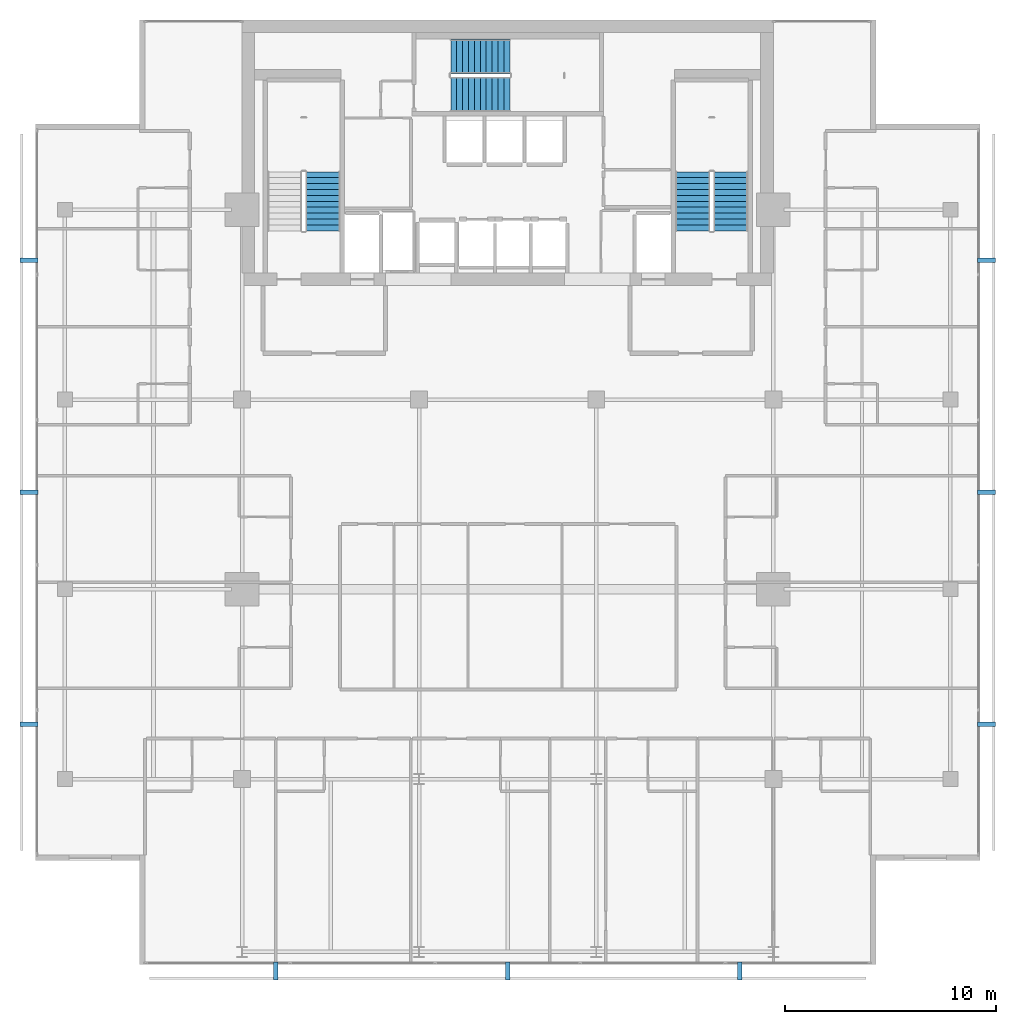
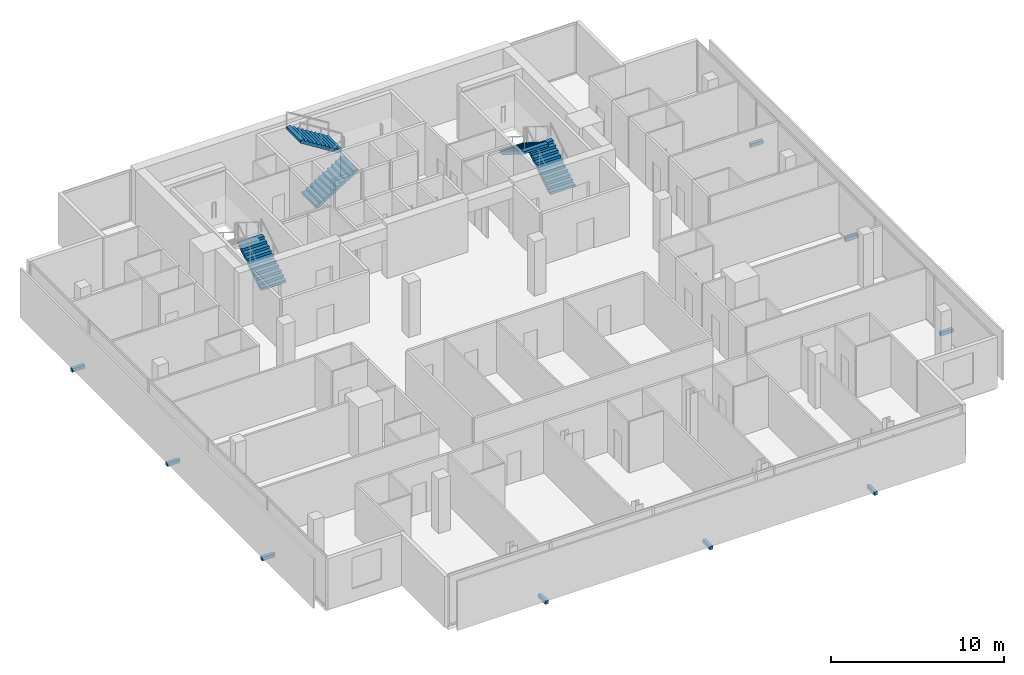
# One storey, part 24 of 26: 9 discrete accessories, 5 stair flights, 3 elements without a shape of their own.
"""IFC4 building model written with IfcOpenShell, lengths in metres."""

from ifc_helpers import new_model, si_unit, direction, frame, origin, origin_2d, place, context, subcontext, project, spatial, polyline, rectangle, outline, extrude, material, type_object, element, aggregate, save


model = new_model("IFC4")

# Units and contexts
model_context = context("Model", 3, precision=1e-05, world=origin(), true_north=direction((0.0, 1.0)))
body_context = subcontext(model_context, "Body", "Model", "MODEL_VIEW")
ifc_project = project(units=[si_unit("LENGTHUNIT", "METRE"), si_unit("AREAUNIT", "SQUARE_METRE"), si_unit("VOLUMEUNIT", "CUBIC_METRE"), si_unit("PLANEANGLEUNIT", "RADIAN"), si_unit("MASSUNIT", "GRAM", prefix="KILO")], contexts=[model_context])

# Site, building, storey
site_placement = place(None, origin())
site = spatial("IfcSite", under=ifc_project, at=site_placement, CompositionType="ELEMENT")
building_placement = place(site_placement, origin())
building = spatial("IfcBuilding", under=site, at=building_placement, Name="Maruvema Waterfront Hotel and Observation Tower", CompositionType="ELEMENT")
storey_placement = place(building_placement, frame((0.0, 0.0, 285.60009765625)))
storey = spatial("IfcBuildingStorey", under=building, at=storey_placement, Name="L70", CompositionType="ELEMENT", Elevation=285.60009765625)

# Stair, stair flight
ifc_material_1 = material(Name="Concrete C50/60", Category="concrete")
stair_type = type_object("IfcStairType", Name="Dogleg Exit Stair 1650 mm (22R x 175.0 mm)", PredefinedType="HALF_TURN_STAIR", material=ifc_material_1)
stair_1_placement = place(storey_placement, origin())
stair_1 = element("IfcStair", 1, at=stair_1_placement, inside=storey, type_object=stair_type, Name="L70 ST-01", PredefinedType="HALF_TURN_STAIR")
ifc_material_2 = material(Name="Concrete C50/60", Category="concrete")
stair_flight_type = type_object("IfcStairFlightType", Name="Reinforced Concrete Stair Flight 1650 mm (11R x 175.0 mm)", PredefinedType="STRAIGHT", material=ifc_material_2)
stair_flight_1_placement = place(storey_placement, frame((29.02490234375, 44.0, 0.0), z_axis=(0.0, 0.0, 1.0), x_axis=(0.0, 1.0, 0.0)))
stair_flight_1 = element("IfcStairFlight", 2, at=stair_flight_1_placement, type_object=stair_flight_type, Name="ST-01 flight 1", NumberOfRisers=11, NumberOfTreads=10, PredefinedType="STRAIGHT", RiserHeight=0.175, TreadLength=0.28, context=body_context, shape_type="SweptSolid", body=[
    extrude(outline(polyline([(0.0, 0.0), (0.0, 0.175048828125), (0.280029296875, 0.175048828125), (0.280029296875, 0.35009765625), (0.56005859375, 0.35009765625), (0.56005859375, 0.52490234375), (0.840087890625, 0.52490234375), (0.840087890625, 0.699951171875), (1.1201171875, 0.699951171875), (1.1201171875, 0.875), (1.39990234375, 0.875), (1.39990234375, 1.050048828125), (1.679931640625, 1.050048828125), (1.679931640625, 1.22509765625), (1.9599609375, 1.22509765625), (1.9599609375, 1.39990234375), (2.239990234375, 1.39990234375), (2.239990234375, 1.574951171875), (2.52001953125, 1.574951171875), (2.52001953125, 1.75), (2.800048828125, 1.75), (2.800048828125, 1.925048828125), (2.800048828125, 1.5732421875), (0.28271484375, 0.0), (0.0, 0.0)])), frame((0.0, 0.824951171875, 0.0), z_axis=(0.0, -1.0, 0.0), x_axis=(1.0, 0.0, 0.0)), (0.0, 0.0, 1.0), 1.64990234375),
])
aggregate(stair_1, [stair_flight_1])

# Stair, stair flights
stair_2_placement = place(storey_placement, origin())
stair_2 = element("IfcStair", 3, at=stair_2_placement, inside=storey, type_object=stair_type, Name="L70 ST-02", PredefinedType="HALF_TURN_STAIR")
stair_flight_2_placement = place(storey_placement, frame((35.10009765625, 50.47509765625, 0.0), z_axis=(0.0, 0.0, 1.0), x_axis=(1.0, 0.0, 0.0)))
stair_flight_2 = element("IfcStairFlight", 4, at=stair_flight_2_placement, type_object=stair_flight_type, Name="ST-02 flight 1", NumberOfRisers=11, NumberOfTreads=10, PredefinedType="STRAIGHT", RiserHeight=0.175, TreadLength=0.28, context=body_context, shape_type="SweptSolid", body=[
    extrude(outline(polyline([(0.0, 0.0), (0.0, 0.175048828125), (0.280029296875, 0.175048828125), (0.280029296875, 0.35009765625), (0.56005859375, 0.35009765625), (0.56005859375, 0.52490234375), (0.840087890625, 0.52490234375), (0.840087890625, 0.699951171875), (1.1201171875, 0.699951171875), (1.1201171875, 0.875), (1.39990234375, 0.875), (1.39990234375, 1.050048828125), (1.679931640625, 1.050048828125), (1.679931640625, 1.22509765625), (1.9599609375, 1.22509765625), (1.9599609375, 1.39990234375), (2.239990234375, 1.39990234375), (2.239990234375, 1.574951171875), (2.52001953125, 1.574951171875), (2.52001953125, 1.75), (2.800048828125, 1.75), (2.800048828125, 1.925048828125), (2.800048828125, 1.5732421875), (0.28271484375, 0.0), (0.0, 0.0)])), frame((0.0, 0.824951171875, 0.0), z_axis=(0.0, -1.0, 0.0), x_axis=(1.0, 0.0, 0.0)), (0.0, 0.0, 1.0), 1.64990234375),
])
stair_flight_3_placement = place(storey_placement, frame((37.89990234375, 52.27490234375, 1.9248046875), z_axis=(0.0, 0.0, 1.0), x_axis=(-1.0, 0.0, 0.0)))
stair_flight_3 = element("IfcStairFlight", 5, at=stair_flight_3_placement, type_object=stair_flight_type, Name="ST-02 flight 2", NumberOfRisers=11, NumberOfTreads=10, PredefinedType="STRAIGHT", RiserHeight=0.175, TreadLength=0.28, context=body_context, shape_type="SweptSolid", body=[
    extrude(outline(polyline([(0.0, 0.0), (0.0, 0.175048828125), (0.280029296875, 0.175048828125), (0.280029296875, 0.35009765625), (0.56005859375, 0.35009765625), (0.56005859375, 0.52490234375), (0.840087890625, 0.52490234375), (0.840087890625, 0.699951171875), (1.1201171875, 0.699951171875), (1.1201171875, 0.875), (1.39990234375, 0.875), (1.39990234375, 1.050048828125), (1.679931640625, 1.050048828125), (1.679931640625, 1.22509765625), (1.9599609375, 1.22509765625), (1.9599609375, 1.39990234375), (2.239990234375, 1.39990234375), (2.239990234375, 1.574951171875), (2.52001953125, 1.574951171875), (2.52001953125, 1.75), (2.800048828125, 1.75), (2.800048828125, 1.925048828125), (2.800048828125, 1.5732421875), (0.28271484375, 0.0), (0.0, 0.0)])), frame((0.0, 0.824951171875, 0.0), z_axis=(0.0, -1.0, 0.0), x_axis=(1.0, 0.0, 0.0)), (0.0, 0.0, 1.0), 1.64990234375),
])
aggregate(stair_2, [stair_flight_2, stair_flight_3])

stair_3_placement = place(storey_placement, origin())
stair_3 = element("IfcStair", 6, at=stair_3_placement, inside=storey, type_object=stair_type, Name="L70 ST-03", PredefinedType="HALF_TURN_STAIR")
stair_flight_4_placement = place(storey_placement, frame((48.375, 44.0, 0.0), z_axis=(0.0, 0.0, 1.0), x_axis=(0.0, 1.0, 0.0)))
stair_flight_4 = element("IfcStairFlight", 7, at=stair_flight_4_placement, type_object=stair_flight_type, Name="ST-03 flight 1", NumberOfRisers=11, NumberOfTreads=10, PredefinedType="STRAIGHT", RiserHeight=0.175, TreadLength=0.28, context=body_context, shape_type="SweptSolid", body=[
    extrude(outline(polyline([(0.0, 0.0), (0.0, 0.175048828125), (0.280029296875, 0.175048828125), (0.280029296875, 0.35009765625), (0.56005859375, 0.35009765625), (0.56005859375, 0.52490234375), (0.840087890625, 0.52490234375), (0.840087890625, 0.699951171875), (1.1201171875, 0.699951171875), (1.1201171875, 0.875), (1.39990234375, 0.875), (1.39990234375, 1.050048828125), (1.679931640625, 1.050048828125), (1.679931640625, 1.22509765625), (1.9599609375, 1.22509765625), (1.9599609375, 1.39990234375), (2.239990234375, 1.39990234375), (2.239990234375, 1.574951171875), (2.52001953125, 1.574951171875), (2.52001953125, 1.75), (2.800048828125, 1.75), (2.800048828125, 1.925048828125), (2.800048828125, 1.5732421875), (0.28271484375, 0.0), (0.0, 0.0)])), frame((0.0, 0.824951171875, 0.0), z_axis=(0.0, -1.0, 0.0), x_axis=(1.0, 0.0, 0.0)), (0.0, 0.0, 1.0), 1.64990234375),
])
stair_flight_5_placement = place(storey_placement, frame((46.574951171875, 46.800048828125, 1.9248046875), z_axis=(0.0, 0.0, 1.0), x_axis=(0.0, -1.0, 0.0)))
stair_flight_5 = element("IfcStairFlight", 8, at=stair_flight_5_placement, type_object=stair_flight_type, Name="ST-03 flight 2", NumberOfRisers=11, NumberOfTreads=10, PredefinedType="STRAIGHT", RiserHeight=0.175, TreadLength=0.28, context=body_context, shape_type="SweptSolid", body=[
    extrude(outline(polyline([(0.0, 0.0), (0.0, 0.175048828125), (0.280029296875, 0.175048828125), (0.280029296875, 0.35009765625), (0.56005859375, 0.35009765625), (0.56005859375, 0.52490234375), (0.840087890625, 0.52490234375), (0.840087890625, 0.699951171875), (1.1201171875, 0.699951171875), (1.1201171875, 0.875), (1.39990234375, 0.875), (1.39990234375, 1.050048828125), (1.679931640625, 1.050048828125), (1.679931640625, 1.22509765625), (1.9599609375, 1.22509765625), (1.9599609375, 1.39990234375), (2.239990234375, 1.39990234375), (2.239990234375, 1.574951171875), (2.52001953125, 1.574951171875), (2.52001953125, 1.75), (2.800048828125, 1.75), (2.800048828125, 1.925048828125), (2.800048828125, 1.5732421875), (0.28271484375, 0.0), (0.0, 0.0)])), frame((0.0, 0.824951171875, 0.0), z_axis=(0.0, -1.0, 0.0), x_axis=(1.0, 0.0, 0.0)), (0.0, 0.0, 1.0), 1.64990234375),
])
aggregate(stair_3, [stair_flight_4, stair_flight_5])

# Discrete accessories
ifc_material_3 = material(Name="Duplex stainless steel Grade 2205", Category="steel")
discrete_accessory_type = type_object("IfcDiscreteAccessoryType", Name="Double-Skin Cavity Stainless Outrigger Bracket", PredefinedType="BRACKET", material=ifc_material_3)
for number, where, z_axis, x_axis, name in (
    (9, (26.7919921875, 8.89990234375, -0.14013671875), (0.0, 0.0, 1.0), (1.0, 0.0, 0.0), "L70 Outer Skin Support Bracket 1"),
    (10, (37.800048828125, 8.89990234375, -0.14013671875), (0.0, 0.0, 1.0), (1.0, 0.0, 0.0), "L70 Outer Skin Support Bracket 2"),
    (11, (48.80810546875, 8.89990234375, -0.14013671875), (0.0, 0.0, 1.0), (1.0, 0.0, 0.0), "L70 Outer Skin Support Bracket 3"),
    (12, (60.5, 20.592041015625, -0.14013671875), (0.0, 0.0, 1.0), (0.0, 1.0, 0.0), "L70 Outer Skin Support Bracket 1"),
    (13, (60.5, 31.60009765625, -0.14013671875), (0.0, 0.0, 1.0), (0.0, 1.0, 0.0), "L70 Outer Skin Support Bracket 2"),
    (14, (60.5, 42.60791015625, -0.14013671875), (0.0, 0.0, 1.0), (0.0, 1.0, 0.0), "L70 Outer Skin Support Bracket 3"),
    (15, (15.10009765625, 42.60791015625, -0.14013671875), (0.0, 0.0, 1.0), (0.0, -1.0, 0.0), "L70 Outer Skin Support Bracket 1"),
    (16, (15.10009765625, 31.60009765625, -0.14013671875), (0.0, 0.0, 1.0), (0.0, -1.0, 0.0), "L70 Outer Skin Support Bracket 2"),
    (17, (15.10009765625, 20.592041015625, -0.14013671875), (0.0, 0.0, 1.0), (0.0, -1.0, 0.0), "L70 Outer Skin Support Bracket 3"),
):
    element("IfcDiscreteAccessory", number, at=place(storey_placement, frame(where, z_axis=z_axis, x_axis=x_axis)), inside=storey, type_object=discrete_accessory_type, Name=name, PredefinedType="BRACKET", context=body_context, shape_type="SweptSolid", body=[
        extrude(rectangle(XDim=0.219970703125, YDim=0.860107421875, at=origin_2d()), origin(), (0.0, 0.0, 1.0), 0.239990234375),
    ])

save(model, "model.ifc")
